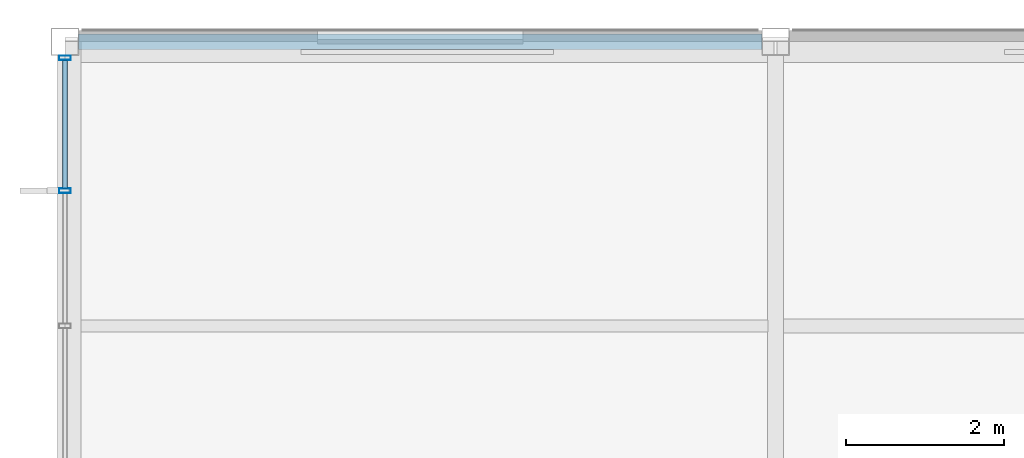
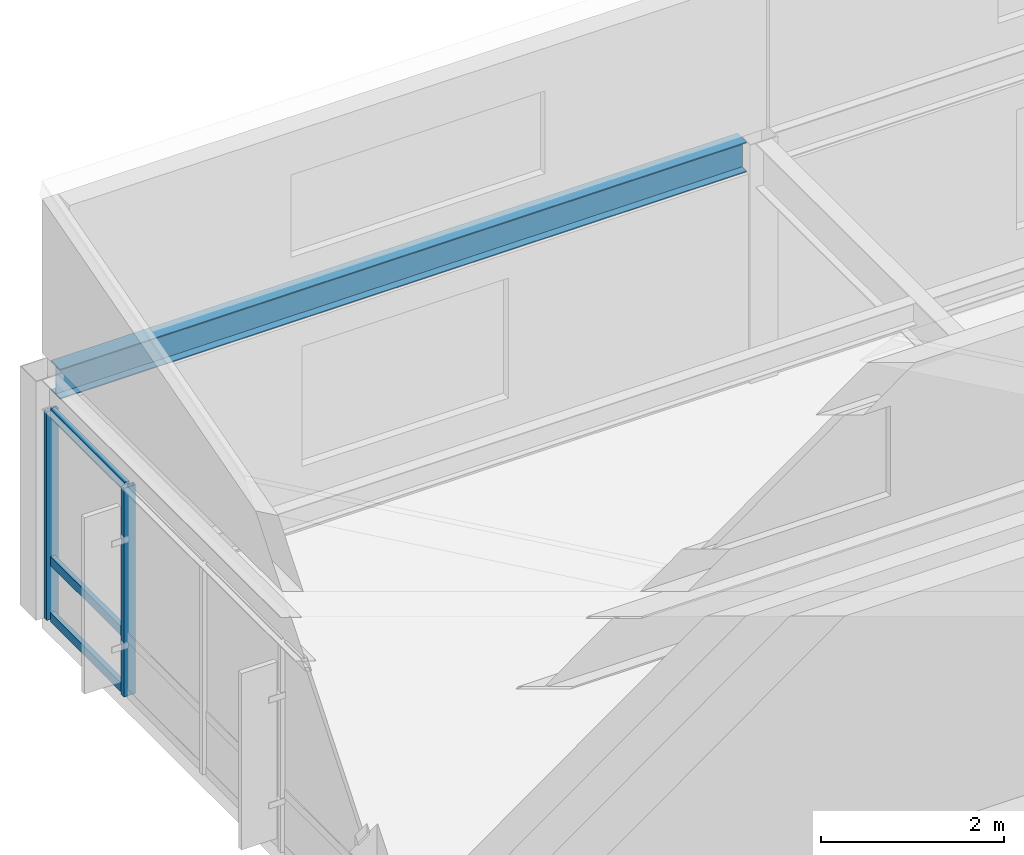
# One storey, part 17 of 43: 5 members, 1 beam, 1 element without a shape of its own.
"""IFC4 building model written with IfcOpenShell, lengths in metres."""

from ifc_helpers import new_model, si_unit, direction, frame, origin, origin_2d, place, context, subcontext, project, spatial, hollow_rectangle, i_section, extrude, material, material_profile, profile_set, type_object, element, aggregate, save


model = new_model("IFC4")

# Units and contexts
model_context = context("Model", 3, precision=1e-05, world=origin(), true_north=direction((0.0, 1.0)))
body_context = subcontext(model_context, "Body", "Model", "MODEL_VIEW")
ifc_project = project(units=[si_unit("LENGTHUNIT", "METRE"), si_unit("AREAUNIT", "SQUARE_METRE"), si_unit("VOLUMEUNIT", "CUBIC_METRE"), si_unit("PLANEANGLEUNIT", "RADIAN"), si_unit("MASSUNIT", "GRAM", prefix="KILO")], contexts=[model_context])

# Site, building, storey
site_placement = place(None, origin())
site = spatial("IfcSite", under=ifc_project, at=site_placement, CompositionType="ELEMENT")
building_placement = place(site_placement, origin())
building = spatial("IfcBuilding", under=site, at=building_placement, Name="Kazanami Central Library", CompositionType="ELEMENT")
storey_placement = place(building_placement, frame((0.0, 0.0, 20.60009765625)))
storey = spatial("IfcBuildingStorey", under=building, at=storey_placement, Name="L06", CompositionType="ELEMENT", Elevation=20.60009765625)

# Beam
ifc_material_1 = material(Name="Steel SN490B (325 MPa)", Category="steel")
ifc_material_profile_1 = material_profile(ifc_material_1, i_section(OverallWidth=0.199951171875, OverallDepth=0.39990234375, WebThickness=0.008056640625, FlangeThickness=0.012939453125, at=origin_2d()), Name="H-400x200x8x13")
ifc_profile_set_1 = profile_set([ifc_material_profile_1], Name="Steel SN490B (325 MPa)")
beam_type = type_object("IfcBeamType", Name="BM-SP-3", PredefinedType="SPANDREL", material=ifc_profile_set_1)
beam_placement = place(storey_placement, frame((0.173095703125, 93.60009765625, 2.97998046875), z_axis=(1.0, 0.0, 0.0), x_axis=(0.0, 1.0, 0.0)))
element("IfcBeam", 1, at=beam_placement, inside=storey, type_object=beam_type, Name="Girder SP-3 L06 O/1-2", PredefinedType="SPANDREL", context=body_context, shape_type="SweptSolid", body=[
    extrude(i_section(OverallWidth=0.199951171875, OverallDepth=0.39990234375, WebThickness=0.008056640625, FlangeThickness=0.012939453125, at=origin_2d()), origin(), (0.0, 0.0, 1.0), 8.65380859375),
])

# Curtain wall, members
ifc_material_2 = material(Name="Acid-Etched Low-E Laminated Glass", Category="glass")
curtain_wall_type = type_object("IfcCurtainWallType", Name="CW-6850x2780-M180", PredefinedType="USERDEFINED", material=ifc_material_2)
curtain_wall_placement = place(storey_placement, origin())
curtain_wall = element("IfcCurtainWall", 2, at=curtain_wall_placement, inside=storey, type_object=curtain_wall_type, Name="Unitised Curtain Wall CW-58 L06 W-1-12", ObjectType="UNITISED CURTAIN WALL", PredefinedType="USERDEFINED")
ifc_material_3 = material(Name="Anodised Aluminium A6063-T5", Category="aluminium")
ifc_material_profile_2 = material_profile(ifc_material_3, hollow_rectangle(XDim=0.06005859375, YDim=0.14990234375, WallThickness=0.00390625, at=origin_2d()), Name="ALU-MULL-60x150x4")
ifc_profile_set_2 = profile_set([ifc_material_profile_2], Name="Anodised Aluminium A6063-T5")
member_type_1 = type_object("IfcMemberType", Name="MEM-CW-M3", PredefinedType="MULLION", material=ifc_profile_set_2)
member_1_placement = place(storey_placement, frame((0.0, 91.71240234375, 0.0), z_axis=(0.0, 0.0, 1.0), x_axis=(0.0, 1.0, 0.0)))
member_1 = element("IfcMember", 3, at=member_1_placement, type_object=member_type_1, Name="CW-58 mullion 4", PredefinedType="MULLION", context=body_context, shape_type="SweptSolid", body=[
    extrude(hollow_rectangle(XDim=0.06005859375, YDim=0.14990234375, WallThickness=0.00390625, at=origin_2d()), origin(), (0.0, 0.0, 1.0), 2.77978515625),
])
member_2_placement = place(storey_placement, frame((0.0, 93.39501953125, 0.0), z_axis=(0.0, 0.0, 1.0), x_axis=(0.0, 1.0, 0.0)))
member_2 = element("IfcMember", 4, at=member_2_placement, type_object=member_type_1, Name="CW-58 mullion 5", PredefinedType="MULLION", context=body_context, shape_type="SweptSolid", body=[
    extrude(hollow_rectangle(XDim=0.06005859375, YDim=0.14990234375, WallThickness=0.00390625, at=origin_2d()), origin(), (0.0, 0.0, 1.0), 2.77978515625),
])
ifc_material_profile_3 = material_profile(ifc_material_3, hollow_rectangle(XDim=0.06005859375, YDim=0.1201171875, WallThickness=0.00341796875, at=origin_2d()), Name="ALU-TRAN-60x120x3.5")
ifc_profile_set_3 = profile_set([ifc_material_profile_3], Name="Anodised Aluminium A6063-T5")
member_type_2 = type_object("IfcMemberType", Name="MEM-CW-T3", PredefinedType="USERDEFINED", material=ifc_profile_set_3)
member_3_placement = place(storey_placement, frame((0.0, 91.742431640625, 0.02978515625), z_axis=(0.0, 1.0, 0.0), x_axis=(-1.0, 0.0, 0.0)))
member_3 = element("IfcMember", 5, at=member_3_placement, type_object=member_type_2, Name="CW-58 transom 4.1", ObjectType="TRANSOM", PredefinedType="USERDEFINED", context=body_context, shape_type="SweptSolid", body=[
    extrude(hollow_rectangle(XDim=0.06005859375, YDim=0.1201171875, WallThickness=0.00341796875, at=origin_2d()), origin(), (0.0, 0.0, 1.0), 1.62255859375),
])
member_4_placement = place(storey_placement, frame((0.0, 91.742431640625, 0.77978515625), z_axis=(0.0, 1.0, 0.0), x_axis=(-1.0, 0.0, 0.0)))
member_4 = element("IfcMember", 6, at=member_4_placement, type_object=member_type_2, Name="CW-58 transom 4.2", ObjectType="TRANSOM", PredefinedType="USERDEFINED", context=body_context, shape_type="SweptSolid", body=[
    extrude(hollow_rectangle(XDim=0.06005859375, YDim=0.1201171875, WallThickness=0.00341796875, at=origin_2d()), origin(), (0.0, 0.0, 1.0), 1.62255859375),
])
member_5_placement = place(storey_placement, frame((0.0, 91.742431640625, 2.75), z_axis=(0.0, 1.0, 0.0), x_axis=(-1.0, 0.0, 0.0)))
member_5 = element("IfcMember", 7, at=member_5_placement, type_object=member_type_2, Name="CW-58 transom 4.3", ObjectType="TRANSOM", PredefinedType="USERDEFINED", context=body_context, shape_type="SweptSolid", body=[
    extrude(hollow_rectangle(XDim=0.06005859375, YDim=0.1201171875, WallThickness=0.00341796875, at=origin_2d()), origin(), (0.0, 0.0, 1.0), 1.62255859375),
])
aggregate(curtain_wall, [member_1, member_2, member_3, member_4, member_5])

save(model, "model.ifc")
